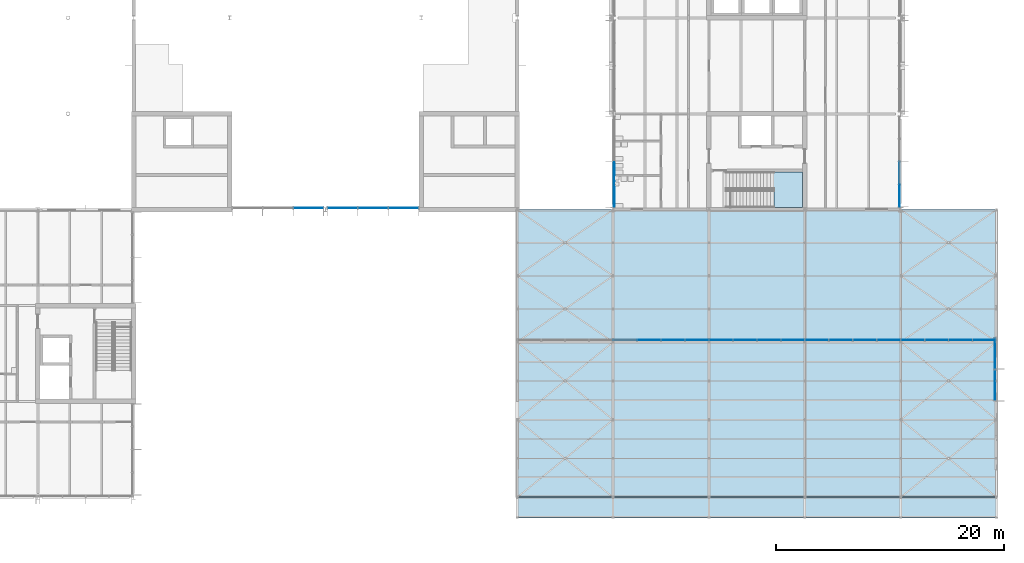
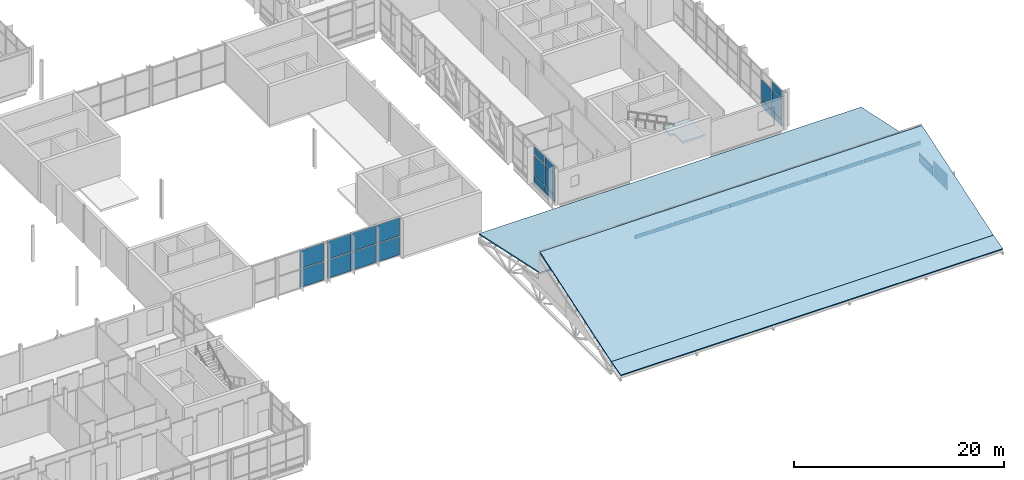
# One storey, part 41 of 89: 54 plates, 4 slabs, 8 elements without a shape of their own.
"""IFC4 building model written with IfcOpenShell, lengths in metres."""

from ifc_helpers import new_model, si_unit, direction, frame, origin, origin_2d, place, context, subcontext, project, spatial, polyline, rectangle, outline, extrude, material, layer, layer_set, type_object, element, aggregate, save


model = new_model("IFC4")

# Units and contexts
model_context = context("Model", 3, precision=1e-05, world=origin(), true_north=direction((0.0, 1.0)))
body_context = subcontext(model_context, "Body", "Model", "MODEL_VIEW")
ifc_project = project(units=[si_unit("LENGTHUNIT", "METRE"), si_unit("AREAUNIT", "SQUARE_METRE"), si_unit("VOLUMEUNIT", "CUBIC_METRE"), si_unit("PLANEANGLEUNIT", "RADIAN"), si_unit("MASSUNIT", "GRAM", prefix="KILO")], contexts=[model_context])

# Site, building, storey
site_placement = place(None, origin())
site = spatial("IfcSite", under=ifc_project, at=site_placement, CompositionType="ELEMENT")
building_placement = place(site_placement, origin())
building = spatial("IfcBuilding", under=site, at=building_placement, Name="Hlaing Beacon Police Headquarters", CompositionType="ELEMENT")
storey_placement = place(building_placement, frame((0.0, 0.0, 9.89990234375)))
storey = spatial("IfcBuildingStorey", under=building, at=storey_placement, Name="L02", CompositionType="ELEMENT", Elevation=9.89990234375)

# Curtain wall, plate
ifc_material_1 = material(Name="Aluminium frame with solar control glazing", Category="aluminium")
curtain_wall_type_1 = type_object("IfcCurtainWallType", Name="Unitised curtain wall 7.99 x 4.37", PredefinedType="NOTDEFINED", material=ifc_material_1)
curtain_wall_1_placement = place(storey_placement, origin())
curtain_wall_1 = element("IfcCurtainWall", 1, at=curtain_wall_1_placement, inside=storey, type_object=curtain_wall_type_1, Name="ENV-CW-L02-E015", PredefinedType="NOTDEFINED")
ifc_material_2 = material(Name="Solar control glazing", Category="glass")
ifc_layer_1 = layer(ifc_material_2, 0.0439453125)
ifc_layer_set_1 = layer_set([ifc_layer_1], Name="Solar control glazing")
plate_type_1 = type_object("IfcPlateType", Name="Clear glazing panel 44", PredefinedType="CURTAIN_PANEL", material=ifc_layer_set_1)
plate_1_placement = place(storey_placement, frame((125.89990234375, 36.810302734375, 0.9501953125), z_axis=(0.0, 0.0, 1.0), x_axis=(0.0, 1.0, 0.0)))
plate_1 = element("IfcPlate", 2, at=plate_1_placement, type_object=plate_type_1, Name="CW-L02-E015 panel 2.2", PredefinedType="CURTAIN_PANEL", context=body_context, shape_type="SweptSolid", body=[
    extrude(rectangle(XDim=1.938720703125, YDim=0.0439453125, at=origin_2d()), origin(), (0.0, 0.0, 1.0), 2.300048828125),
])

ifc_material_3 = material(Name="Aluminium frame with solar control glazing", Category="aluminium")
curtain_wall_type_2 = type_object("IfcCurtainWallType", Name="Unitised curtain wall 8.02 x 4.37", PredefinedType="NOTDEFINED", material=ifc_material_3)
curtain_wall_2_placement = place(storey_placement, origin())
curtain_wall_2 = element("IfcCurtainWall", 3, at=curtain_wall_2_placement, inside=storey, type_object=curtain_wall_type_2, Name="ENV-CW-L02-W033", PredefinedType="NOTDEFINED")
plate_2_placement = place(storey_placement, frame((100.89990234375, 34.805419921875, 0.9501953125), z_axis=(0.0, 0.0, 1.0), x_axis=(0.0, -1.0, 0.0)))
plate_2 = element("IfcPlate", 4, at=plate_2_placement, type_object=plate_type_1, Name="CW-L02-W033 panel 4.2", PredefinedType="CURTAIN_PANEL", context=body_context, shape_type="SweptSolid", body=[
    extrude(rectangle(XDim=1.914794921875, YDim=0.0439453125, at=origin_2d()), origin(), (0.0, 0.0, 1.0), 2.300048828125),
])

# Curtain wall, plates
ifc_material_4 = material(Name="Aluminium frame with solar control glazing", Category="aluminium")
curtain_wall_type_3 = type_object("IfcCurtainWallType", Name="Clerestory glazing 42.00 x 2.42", PredefinedType="NOTDEFINED", material=ifc_material_4)
curtain_wall_3_placement = place(storey_placement, origin())
curtain_wall_3 = element("IfcCurtainWall", 5, at=curtain_wall_3_placement, inside=storey, type_object=curtain_wall_type_3, Name="ENV-CLR-V3-38", PredefinedType="NOTDEFINED")
plate_3_placement = place(storey_placement, frame((101.85009765625, 22.17822265625, 2.731201171875), z_axis=(0.0, 0.0, 1.0), x_axis=(1.0, 0.0, 0.0)))
plate_3 = element("IfcPlate", 6, at=plate_3_placement, type_object=plate_type_1, Name="CLR-V3-38 panel 5.2", PredefinedType="CURTAIN_PANEL", context=body_context, shape_type="SweptSolid", body=[
    extrude(rectangle(XDim=2.0400390625, YDim=0.0439453125, at=origin_2d()), origin(), (0.0, 0.0, 1.0), 1.6689453125),
])
plate_4_placement = place(storey_placement, frame((103.949951171875, 22.17822265625, 2.731201171875), z_axis=(0.0, 0.0, 1.0), x_axis=(1.0, 0.0, 0.0)))
plate_4 = element("IfcPlate", 7, at=plate_4_placement, type_object=plate_type_1, Name="CLR-V3-38 panel 6.2", PredefinedType="CURTAIN_PANEL", context=body_context, shape_type="SweptSolid", body=[
    extrude(rectangle(XDim=2.0400390625, YDim=0.0439453125, at=origin_2d()), origin(), (0.0, 0.0, 1.0), 1.6689453125),
])
plate_5_placement = place(storey_placement, frame((106.050048828125, 22.17822265625, 2.731201171875), z_axis=(0.0, 0.0, 1.0), x_axis=(1.0, 0.0, 0.0)))
plate_5 = element("IfcPlate", 8, at=plate_5_placement, type_object=plate_type_1, Name="CLR-V3-38 panel 7.2", PredefinedType="CURTAIN_PANEL", context=body_context, shape_type="SweptSolid", body=[
    extrude(rectangle(XDim=2.0400390625, YDim=0.0439453125, at=origin_2d()), origin(), (0.0, 0.0, 1.0), 1.6689453125),
])
plate_6_placement = place(storey_placement, frame((108.14990234375, 22.17822265625, 2.731201171875), z_axis=(0.0, 0.0, 1.0), x_axis=(1.0, 0.0, 0.0)))
plate_6 = element("IfcPlate", 9, at=plate_6_placement, type_object=plate_type_1, Name="CLR-V3-38 panel 8.2", PredefinedType="CURTAIN_PANEL", context=body_context, shape_type="SweptSolid", body=[
    extrude(rectangle(XDim=2.0400390625, YDim=0.0439453125, at=origin_2d()), origin(), (0.0, 0.0, 1.0), 1.6689453125),
])
plate_7_placement = place(storey_placement, frame((110.25, 22.17822265625, 2.731201171875), z_axis=(0.0, 0.0, 1.0), x_axis=(1.0, 0.0, 0.0)))
plate_7 = element("IfcPlate", 10, at=plate_7_placement, type_object=plate_type_1, Name="CLR-V3-38 panel 9.2", PredefinedType="CURTAIN_PANEL", context=body_context, shape_type="SweptSolid", body=[
    extrude(rectangle(XDim=2.0400390625, YDim=0.0439453125, at=origin_2d()), origin(), (0.0, 0.0, 1.0), 1.6689453125),
])
plate_8_placement = place(storey_placement, frame((112.35009765625, 22.17822265625, 2.731201171875), z_axis=(0.0, 0.0, 1.0), x_axis=(1.0, 0.0, 0.0)))
plate_8 = element("IfcPlate", 11, at=plate_8_placement, type_object=plate_type_1, Name="CLR-V3-38 panel 10.2", PredefinedType="CURTAIN_PANEL", context=body_context, shape_type="SweptSolid", body=[
    extrude(rectangle(XDim=2.0400390625, YDim=0.0439453125, at=origin_2d()), origin(), (0.0, 0.0, 1.0), 1.6689453125),
])
plate_9_placement = place(storey_placement, frame((114.449951171875, 22.17822265625, 2.731201171875), z_axis=(0.0, 0.0, 1.0), x_axis=(1.0, 0.0, 0.0)))
plate_9 = element("IfcPlate", 12, at=plate_9_placement, type_object=plate_type_1, Name="CLR-V3-38 panel 11.2", PredefinedType="CURTAIN_PANEL", context=body_context, shape_type="SweptSolid", body=[
    extrude(rectangle(XDim=2.0400390625, YDim=0.0439453125, at=origin_2d()), origin(), (0.0, 0.0, 1.0), 1.6689453125),
])
plate_10_placement = place(storey_placement, frame((116.550048828125, 22.17822265625, 2.731201171875), z_axis=(0.0, 0.0, 1.0), x_axis=(1.0, 0.0, 0.0)))
plate_10 = element("IfcPlate", 13, at=plate_10_placement, type_object=plate_type_1, Name="CLR-V3-38 panel 12.2", PredefinedType="CURTAIN_PANEL", context=body_context, shape_type="SweptSolid", body=[
    extrude(rectangle(XDim=2.0400390625, YDim=0.0439453125, at=origin_2d()), origin(), (0.0, 0.0, 1.0), 1.6689453125),
])
plate_11_placement = place(storey_placement, frame((118.64990234375, 22.17822265625, 2.731201171875), z_axis=(0.0, 0.0, 1.0), x_axis=(1.0, 0.0, 0.0)))
plate_11 = element("IfcPlate", 14, at=plate_11_placement, type_object=plate_type_1, Name="CLR-V3-38 panel 13.2", PredefinedType="CURTAIN_PANEL", context=body_context, shape_type="SweptSolid", body=[
    extrude(rectangle(XDim=2.0400390625, YDim=0.0439453125, at=origin_2d()), origin(), (0.0, 0.0, 1.0), 1.6689453125),
])
plate_12_placement = place(storey_placement, frame((120.75, 22.17822265625, 2.731201171875), z_axis=(0.0, 0.0, 1.0), x_axis=(1.0, 0.0, 0.0)))
plate_12 = element("IfcPlate", 15, at=plate_12_placement, type_object=plate_type_1, Name="CLR-V3-38 panel 14.2", PredefinedType="CURTAIN_PANEL", context=body_context, shape_type="SweptSolid", body=[
    extrude(rectangle(XDim=2.0400390625, YDim=0.0439453125, at=origin_2d()), origin(), (0.0, 0.0, 1.0), 1.6689453125),
])
plate_13_placement = place(storey_placement, frame((122.85009765625, 22.17822265625, 2.731201171875), z_axis=(0.0, 0.0, 1.0), x_axis=(1.0, 0.0, 0.0)))
plate_13 = element("IfcPlate", 16, at=plate_13_placement, type_object=plate_type_1, Name="CLR-V3-38 panel 15.2", PredefinedType="CURTAIN_PANEL", context=body_context, shape_type="SweptSolid", body=[
    extrude(rectangle(XDim=2.0400390625, YDim=0.0439453125, at=origin_2d()), origin(), (0.0, 0.0, 1.0), 1.6689453125),
])
plate_14_placement = place(storey_placement, frame((124.949951171875, 22.17822265625, 2.731201171875), z_axis=(0.0, 0.0, 1.0), x_axis=(1.0, 0.0, 0.0)))
plate_14 = element("IfcPlate", 17, at=plate_14_placement, type_object=plate_type_1, Name="CLR-V3-38 panel 16.2", PredefinedType="CURTAIN_PANEL", context=body_context, shape_type="SweptSolid", body=[
    extrude(rectangle(XDim=2.0400390625, YDim=0.0439453125, at=origin_2d()), origin(), (0.0, 0.0, 1.0), 1.6689453125),
])
plate_15_placement = place(storey_placement, frame((127.050048828125, 22.17822265625, 2.731201171875), z_axis=(0.0, 0.0, 1.0), x_axis=(1.0, 0.0, 0.0)))
plate_15 = element("IfcPlate", 18, at=plate_15_placement, type_object=plate_type_1, Name="CLR-V3-38 panel 17.2", PredefinedType="CURTAIN_PANEL", context=body_context, shape_type="SweptSolid", body=[
    extrude(rectangle(XDim=2.0400390625, YDim=0.0439453125, at=origin_2d()), origin(), (0.0, 0.0, 1.0), 1.6689453125),
])
plate_16_placement = place(storey_placement, frame((129.14990234375, 22.17822265625, 2.731201171875), z_axis=(0.0, 0.0, 1.0), x_axis=(1.0, 0.0, 0.0)))
plate_16 = element("IfcPlate", 19, at=plate_16_placement, type_object=plate_type_1, Name="CLR-V3-38 panel 18.2", PredefinedType="CURTAIN_PANEL", context=body_context, shape_type="SweptSolid", body=[
    extrude(rectangle(XDim=2.0400390625, YDim=0.0439453125, at=origin_2d()), origin(), (0.0, 0.0, 1.0), 1.6689453125),
])
plate_17_placement = place(storey_placement, frame((131.25, 22.17822265625, 2.731201171875), z_axis=(0.0, 0.0, 1.0), x_axis=(1.0, 0.0, 0.0)))
plate_17 = element("IfcPlate", 20, at=plate_17_placement, type_object=plate_type_1, Name="CLR-V3-38 panel 19.2", PredefinedType="CURTAIN_PANEL", context=body_context, shape_type="SweptSolid", body=[
    extrude(rectangle(XDim=2.0400390625, YDim=0.0439453125, at=origin_2d()), origin(), (0.0, 0.0, 1.0), 1.6689453125),
])
plate_18_placement = place(storey_placement, frame((133.3349609375, 22.17822265625, 2.731201171875), z_axis=(0.0, 0.0, 1.0), x_axis=(1.0, 0.0, 0.0)))
plate_18 = element("IfcPlate", 21, at=plate_18_placement, type_object=plate_type_1, Name="CLR-V3-38 panel 20.2", PredefinedType="CURTAIN_PANEL", context=body_context, shape_type="SweptSolid", body=[
    extrude(rectangle(XDim=2.010009765625, YDim=0.0439453125, at=origin_2d()), origin(), (0.0, 0.0, 1.0), 1.6689453125),
])

# Slabs
ifc_material_5 = material(Name="Steel ASTM A572 Grade 50", Category="steel")
ifc_layer_2 = layer(ifc_material_5, 0.14990234375)
ifc_layer_set_2 = layer_set([ifc_layer_2], Name="Steel ASTM A572 Grade 50")
slab_type_1 = type_object("IfcSlabType", Name="Folded roof plate 150", PredefinedType="ROOF", material=ifc_layer_set_2)
slab_1_placement = place(storey_placement, frame((92.39990234375, 6.60009765625, -0.47998046875), z_axis=(0.0, -0.257678965997, 0.966230588671), x_axis=(1.0, 0.0, 0.0)))
element("IfcSlab", 22, at=slab_1_placement, inside=storey, type_object=slab_type_1, Name="STR-RP-V3-R1", PredefinedType="ROOF", context=body_context, shape_type="SweptSolid", body=[
    extrude(outline(polyline([(0.0, 0.0), (42.0, 0.0), (42.0, 1.8627072135814695), (0.0, 1.8627072135814695), (0.0, 0.0)])), origin(), (0.0, 0.0, -1.0), 0.14990234375),
])
slab_2_placement = place(storey_placement, frame((92.39990234375, 8.39990234375, 0.0), z_axis=(0.0, -0.314130743941, 0.949379732094), x_axis=(1.0, 0.0, 0.0)))
element("IfcSlab", 23, at=slab_2_placement, inside=storey, type_object=slab_type_1, Name="STR-RP-V3-R2", PredefinedType="ROOF", context=body_context, shape_type="SweptSolid", body=[
    extrude(outline(polyline([(0.0, 0.0), (42.0, 0.0), (42.0, 14.325245417078785), (0.0, 14.325245417078785), (0.0, 0.0)])), origin(), (0.0, 0.0, -1.0), 0.14990234375),
])
slab_3_placement = place(storey_placement, frame((92.39990234375, 22.0, 2.10009765625), z_axis=(0.0, 0.210678280718, 0.977555452153), x_axis=(1.0, 0.0, 0.0)))
element("IfcSlab", 24, at=slab_3_placement, inside=storey, type_object=slab_type_1, Name="STR-RP-V3-R3", PredefinedType="ROOF", context=body_context, shape_type="SweptSolid", body=[
    extrude(outline(polyline([(0.0, 0.0), (42.0, 0.0), (42.0, 11.866434411167356), (0.0, 11.866434411167356), (0.0, 0.0)])), origin(), (0.0, 0.0, -1.0), 0.14990234375),
])

# Plate
ifc_material_6 = material(Name="Fritted solar control glazing", Category="glass")
ifc_layer_3 = layer(ifc_material_6, 0.0439453125)
ifc_layer_set_3 = layer_set([ifc_layer_3], Name="Fritted solar control glazing")
plate_type_2 = type_object("IfcPlateType", Name="Fritted glazing panel 44", PredefinedType="CURTAIN_PANEL", material=ifc_layer_set_3)
plate_19_placement = place(storey_placement, frame((125.89990234375, 34.826416015625, 0.9501953125), z_axis=(0.0, 0.0, 1.0), x_axis=(0.0, 1.0, 0.0)))
plate_19 = element("IfcPlate", 25, at=plate_19_placement, type_object=plate_type_2, Name="CW-L02-E015 panel 1.2", PredefinedType="CURTAIN_PANEL", context=body_context, shape_type="SweptSolid", body=[
    extrude(rectangle(XDim=1.90869140625, YDim=0.0439453125, at=origin_2d()), origin(), (0.0, 0.0, 1.0), 2.300048828125),
])

plate_20_placement = place(storey_placement, frame((100.89990234375, 36.795166015625, 0.9501953125), z_axis=(0.0, 0.0, 1.0), x_axis=(0.0, -1.0, 0.0)))
plate_20 = element("IfcPlate", 26, at=plate_20_placement, type_object=plate_type_2, Name="CW-L02-W033 panel 3.2", PredefinedType="CURTAIN_PANEL", context=body_context, shape_type="SweptSolid", body=[
    extrude(rectangle(XDim=1.94482421875, YDim=0.0439453125, at=origin_2d()), origin(), (0.0, 0.0, 1.0), 2.300048828125),
])

ifc_material_7 = material(Name="Insulated aluminium spandrel", Category="aluminium")
ifc_layer_4 = layer(ifc_material_7, 0.0400390625)
ifc_layer_set_4 = layer_set([ifc_layer_4], Name="Insulated aluminium spandrel")
plate_type_3 = type_object("IfcPlateType", Name="Insulated spandrel panel 40", PredefinedType="CURTAIN_PANEL", material=ifc_layer_set_4)
plate_21_placement = place(storey_placement, frame((103.949951171875, 22.17822265625, 2.18115234375), z_axis=(0.0, 0.0, 1.0), x_axis=(1.0, 0.0, 0.0)))
plate_21 = element("IfcPlate", 27, at=plate_21_placement, type_object=plate_type_3, Name="CLR-V3-38 panel 6.1", PredefinedType="CURTAIN_PANEL", context=body_context, shape_type="SweptSolid", body=[
    extrude(rectangle(XDim=2.0400390625, YDim=0.0400390625, at=origin_2d()), origin(), (0.0, 0.0, 1.0), 0.449951171875),
])

plate_22_placement = place(storey_placement, frame((106.050048828125, 22.17822265625, 2.18115234375), z_axis=(0.0, 0.0, 1.0), x_axis=(1.0, 0.0, 0.0)))
plate_22 = element("IfcPlate", 28, at=plate_22_placement, type_object=plate_type_3, Name="CLR-V3-38 panel 7.1", PredefinedType="CURTAIN_PANEL", context=body_context, shape_type="SweptSolid", body=[
    extrude(rectangle(XDim=2.0400390625, YDim=0.0400390625, at=origin_2d()), origin(), (0.0, 0.0, 1.0), 0.449951171875),
])

plate_23_placement = place(storey_placement, frame((108.14990234375, 22.17822265625, 2.18115234375), z_axis=(0.0, 0.0, 1.0), x_axis=(1.0, 0.0, 0.0)))
plate_23 = element("IfcPlate", 29, at=plate_23_placement, type_object=plate_type_3, Name="CLR-V3-38 panel 8.1", PredefinedType="CURTAIN_PANEL", context=body_context, shape_type="SweptSolid", body=[
    extrude(rectangle(XDim=2.0400390625, YDim=0.0400390625, at=origin_2d()), origin(), (0.0, 0.0, 1.0), 0.449951171875),
])

plate_24_placement = place(storey_placement, frame((110.25, 22.17822265625, 2.18115234375), z_axis=(0.0, 0.0, 1.0), x_axis=(1.0, 0.0, 0.0)))
plate_24 = element("IfcPlate", 30, at=plate_24_placement, type_object=plate_type_3, Name="CLR-V3-38 panel 9.1", PredefinedType="CURTAIN_PANEL", context=body_context, shape_type="SweptSolid", body=[
    extrude(rectangle(XDim=2.0400390625, YDim=0.0400390625, at=origin_2d()), origin(), (0.0, 0.0, 1.0), 0.449951171875),
])

plate_25_placement = place(storey_placement, frame((112.35009765625, 22.17822265625, 2.18115234375), z_axis=(0.0, 0.0, 1.0), x_axis=(1.0, 0.0, 0.0)))
plate_25 = element("IfcPlate", 31, at=plate_25_placement, type_object=plate_type_3, Name="CLR-V3-38 panel 10.1", PredefinedType="CURTAIN_PANEL", context=body_context, shape_type="SweptSolid", body=[
    extrude(rectangle(XDim=2.0400390625, YDim=0.0400390625, at=origin_2d()), origin(), (0.0, 0.0, 1.0), 0.449951171875),
])

plate_26_placement = place(storey_placement, frame((114.449951171875, 22.17822265625, 2.18115234375), z_axis=(0.0, 0.0, 1.0), x_axis=(1.0, 0.0, 0.0)))
plate_26 = element("IfcPlate", 32, at=plate_26_placement, type_object=plate_type_3, Name="CLR-V3-38 panel 11.1", PredefinedType="CURTAIN_PANEL", context=body_context, shape_type="SweptSolid", body=[
    extrude(rectangle(XDim=2.0400390625, YDim=0.0400390625, at=origin_2d()), origin(), (0.0, 0.0, 1.0), 0.449951171875),
])

plate_27_placement = place(storey_placement, frame((116.550048828125, 22.17822265625, 2.18115234375), z_axis=(0.0, 0.0, 1.0), x_axis=(1.0, 0.0, 0.0)))
plate_27 = element("IfcPlate", 33, at=plate_27_placement, type_object=plate_type_3, Name="CLR-V3-38 panel 12.1", PredefinedType="CURTAIN_PANEL", context=body_context, shape_type="SweptSolid", body=[
    extrude(rectangle(XDim=2.0400390625, YDim=0.0400390625, at=origin_2d()), origin(), (0.0, 0.0, 1.0), 0.449951171875),
])

plate_28_placement = place(storey_placement, frame((118.64990234375, 22.17822265625, 2.18115234375), z_axis=(0.0, 0.0, 1.0), x_axis=(1.0, 0.0, 0.0)))
plate_28 = element("IfcPlate", 34, at=plate_28_placement, type_object=plate_type_3, Name="CLR-V3-38 panel 13.1", PredefinedType="CURTAIN_PANEL", context=body_context, shape_type="SweptSolid", body=[
    extrude(rectangle(XDim=2.0400390625, YDim=0.0400390625, at=origin_2d()), origin(), (0.0, 0.0, 1.0), 0.449951171875),
])

plate_29_placement = place(storey_placement, frame((120.75, 22.17822265625, 2.18115234375), z_axis=(0.0, 0.0, 1.0), x_axis=(1.0, 0.0, 0.0)))
plate_29 = element("IfcPlate", 35, at=plate_29_placement, type_object=plate_type_3, Name="CLR-V3-38 panel 14.1", PredefinedType="CURTAIN_PANEL", context=body_context, shape_type="SweptSolid", body=[
    extrude(rectangle(XDim=2.0400390625, YDim=0.0400390625, at=origin_2d()), origin(), (0.0, 0.0, 1.0), 0.449951171875),
])

plate_30_placement = place(storey_placement, frame((122.85009765625, 22.17822265625, 2.18115234375), z_axis=(0.0, 0.0, 1.0), x_axis=(1.0, 0.0, 0.0)))
plate_30 = element("IfcPlate", 36, at=plate_30_placement, type_object=plate_type_3, Name="CLR-V3-38 panel 15.1", PredefinedType="CURTAIN_PANEL", context=body_context, shape_type="SweptSolid", body=[
    extrude(rectangle(XDim=2.0400390625, YDim=0.0400390625, at=origin_2d()), origin(), (0.0, 0.0, 1.0), 0.449951171875),
])

plate_31_placement = place(storey_placement, frame((124.949951171875, 22.17822265625, 2.18115234375), z_axis=(0.0, 0.0, 1.0), x_axis=(1.0, 0.0, 0.0)))
plate_31 = element("IfcPlate", 37, at=plate_31_placement, type_object=plate_type_3, Name="CLR-V3-38 panel 16.1", PredefinedType="CURTAIN_PANEL", context=body_context, shape_type="SweptSolid", body=[
    extrude(rectangle(XDim=2.0400390625, YDim=0.0400390625, at=origin_2d()), origin(), (0.0, 0.0, 1.0), 0.449951171875),
])

plate_32_placement = place(storey_placement, frame((127.050048828125, 22.17822265625, 2.18115234375), z_axis=(0.0, 0.0, 1.0), x_axis=(1.0, 0.0, 0.0)))
plate_32 = element("IfcPlate", 38, at=plate_32_placement, type_object=plate_type_3, Name="CLR-V3-38 panel 17.1", PredefinedType="CURTAIN_PANEL", context=body_context, shape_type="SweptSolid", body=[
    extrude(rectangle(XDim=2.0400390625, YDim=0.0400390625, at=origin_2d()), origin(), (0.0, 0.0, 1.0), 0.449951171875),
])

plate_33_placement = place(storey_placement, frame((129.14990234375, 22.17822265625, 2.18115234375), z_axis=(0.0, 0.0, 1.0), x_axis=(1.0, 0.0, 0.0)))
plate_33 = element("IfcPlate", 39, at=plate_33_placement, type_object=plate_type_3, Name="CLR-V3-38 panel 18.1", PredefinedType="CURTAIN_PANEL", context=body_context, shape_type="SweptSolid", body=[
    extrude(rectangle(XDim=2.0400390625, YDim=0.0400390625, at=origin_2d()), origin(), (0.0, 0.0, 1.0), 0.449951171875),
])

plate_34_placement = place(storey_placement, frame((131.25, 22.17822265625, 2.18115234375), z_axis=(0.0, 0.0, 1.0), x_axis=(1.0, 0.0, 0.0)))
plate_34 = element("IfcPlate", 40, at=plate_34_placement, type_object=plate_type_3, Name="CLR-V3-38 panel 19.1", PredefinedType="CURTAIN_PANEL", context=body_context, shape_type="SweptSolid", body=[
    extrude(rectangle(XDim=2.0400390625, YDim=0.0400390625, at=origin_2d()), origin(), (0.0, 0.0, 1.0), 0.449951171875),
])

plate_35_placement = place(storey_placement, frame((133.3349609375, 22.17822265625, 2.18115234375), z_axis=(0.0, 0.0, 1.0), x_axis=(1.0, 0.0, 0.0)))
plate_35 = element("IfcPlate", 41, at=plate_35_placement, type_object=plate_type_3, Name="CLR-V3-38 panel 20.1", PredefinedType="CURTAIN_PANEL", context=body_context, shape_type="SweptSolid", body=[
    extrude(rectangle(XDim=2.010009765625, YDim=0.0400390625, at=origin_2d()), origin(), (0.0, 0.0, 1.0), 0.449951171875),
])

aggregate(curtain_wall_3, [plate_3, plate_21, plate_4, plate_22, plate_5, plate_23, plate_6, plate_24, plate_7, plate_25, plate_8, plate_26, plate_9, plate_27, plate_10, plate_28, plate_11, plate_29, plate_12, plate_30, plate_13, plate_31, plate_14, plate_32, plate_15, plate_33, plate_16, plate_34, plate_17, plate_35, plate_18])

ifc_material_8 = material(Name="Insulated aluminium spandrel", Category="aluminium")
ifc_layer_5 = layer(ifc_material_8, 0.06005859375)
ifc_layer_set_5 = layer_set([ifc_layer_5], Name="Insulated aluminium spandrel")
plate_type_4 = type_object("IfcPlateType", Name="Insulated spandrel panel 60", PredefinedType="CURTAIN_PANEL", material=ifc_layer_set_5)
plate_36_placement = place(storey_placement, frame((125.89990234375, 34.826416015625, 0.10009765625), z_axis=(0.0, 0.0, 1.0), x_axis=(0.0, 1.0, 0.0)))
plate_36 = element("IfcPlate", 42, at=plate_36_placement, type_object=plate_type_4, Name="CW-L02-E015 panel 1.1", PredefinedType="CURTAIN_PANEL", context=body_context, shape_type="SweptSolid", body=[
    extrude(rectangle(XDim=1.90869140625, YDim=0.06005859375, at=origin_2d()), origin(), (0.0, 0.0, 1.0), 0.75),
])

plate_37_placement = place(storey_placement, frame((125.89990234375, 36.810302734375, 0.10009765625), z_axis=(0.0, 0.0, 1.0), x_axis=(0.0, 1.0, 0.0)))
plate_37 = element("IfcPlate", 43, at=plate_37_placement, type_object=plate_type_4, Name="CW-L02-E015 panel 2.1", PredefinedType="CURTAIN_PANEL", context=body_context, shape_type="SweptSolid", body=[
    extrude(rectangle(XDim=1.938720703125, YDim=0.06005859375, at=origin_2d()), origin(), (0.0, 0.0, 1.0), 0.75),
])

ifc_material_9 = material(Name="Insulated aluminium spandrel", Category="aluminium")
ifc_layer_6 = layer(ifc_material_9, 0.080078125)
ifc_layer_set_6 = layer_set([ifc_layer_6], Name="Insulated aluminium spandrel")
plate_type_5 = type_object("IfcPlateType", Name="Insulated spandrel panel 80", PredefinedType="CURTAIN_PANEL", material=ifc_layer_set_6)
plate_38_placement = place(storey_placement, frame((100.89990234375, 36.795166015625, 0.10009765625), z_axis=(0.0, 0.0, 1.0), x_axis=(0.0, -1.0, 0.0)))
plate_38 = element("IfcPlate", 44, at=plate_38_placement, type_object=plate_type_5, Name="CW-L02-W033 panel 3.1", PredefinedType="CURTAIN_PANEL", context=body_context, shape_type="SweptSolid", body=[
    extrude(rectangle(XDim=1.94482421875, YDim=0.080078125, at=origin_2d()), origin(), (0.0, 0.0, 1.0), 0.75),
])

plate_39_placement = place(storey_placement, frame((100.89990234375, 34.805419921875, 0.10009765625), z_axis=(0.0, 0.0, 1.0), x_axis=(0.0, -1.0, 0.0)))
plate_39 = element("IfcPlate", 45, at=plate_39_placement, type_object=plate_type_5, Name="CW-L02-W033 panel 4.1", PredefinedType="CURTAIN_PANEL", context=body_context, shape_type="SweptSolid", body=[
    extrude(rectangle(XDim=1.914794921875, YDim=0.080078125, at=origin_2d()), origin(), (0.0, 0.0, 1.0), 0.75),
])

# Curtain wall, plates
ifc_material_10 = material(Name="Aluminium frame with solar control glazing", Category="aluminium")
curtain_wall_type_4 = type_object("IfcCurtainWallType", Name="Structural glazed gable wall 2.80 x 1.31", PredefinedType="NOTDEFINED", material=ifc_material_10)
curtain_wall_4_placement = place(storey_placement, origin())
curtain_wall_4 = element("IfcCurtainWall", 46, at=curtain_wall_4_placement, inside=storey, type_object=curtain_wall_type_4, Name="ENV-CW-L02-E002", PredefinedType="NOTDEFINED")
ifc_material_11 = material(Name="Laminated solar control glazing", Category="glass")
ifc_layer_7 = layer(ifc_material_11, 0.02392578125)
ifc_layer_set_7 = layer_set([ifc_layer_7], Name="Laminated solar control glazing")
plate_type_6 = type_object("IfcPlateType", Name="Laminated glazing panel 24", PredefinedType="CURTAIN_PANEL", material=ifc_layer_set_7)
plate_40_placement = place(storey_placement, frame((134.25, 21.0, 0.10009765625), z_axis=(0.0, 0.0, 1.0), x_axis=(0.0, 1.0, 0.0)))
plate_40 = element("IfcPlate", 47, at=plate_40_placement, type_object=plate_type_6, Name="CW-L02-E002 panel 1.1", PredefinedType="CURTAIN_PANEL", context=body_context, shape_type="SweptSolid", body=[
    extrude(rectangle(XDim=2.639892578125, YDim=0.02392578125, at=origin_2d()), origin(), (0.0, 0.0, 1.0), 0.507080078125),
])
plate_41_placement = place(storey_placement, frame((134.25, 21.0, 0.70703125), z_axis=(0.0, 0.0, 1.0), x_axis=(0.0, 1.0, 0.0)))
plate_41 = element("IfcPlate", 48, at=plate_41_placement, type_object=plate_type_6, Name="CW-L02-E002 panel 1.2", PredefinedType="CURTAIN_PANEL", context=body_context, shape_type="SweptSolid", body=[
    extrude(rectangle(XDim=2.639892578125, YDim=0.02392578125, at=origin_2d()), origin(), (0.0, 0.0, 1.0), 0.5068359375),
])
aggregate(curtain_wall_4, [plate_40, plate_41])

ifc_material_12 = material(Name="Aluminium frame with solar control glazing", Category="aluminium")
curtain_wall_type_5 = type_object("IfcCurtainWallType", Name="Structural glazed gable wall 2.80 x 2.08", PredefinedType="NOTDEFINED", material=ifc_material_12)
curtain_wall_5_placement = place(storey_placement, origin())
curtain_wall_5 = element("IfcCurtainWall", 49, at=curtain_wall_5_placement, inside=storey, type_object=curtain_wall_type_5, Name="ENV-CW-L02-E001", PredefinedType="NOTDEFINED")
ifc_material_13 = material(Name="Laminated solar control glazing", Category="glass")
ifc_layer_8 = layer(ifc_material_13, 0.031982421875)
ifc_layer_set_8 = layer_set([ifc_layer_8], Name="Laminated solar control glazing")
plate_type_7 = type_object("IfcPlateType", Name="Laminated glazing panel 32", PredefinedType="CURTAIN_PANEL", material=ifc_layer_set_8)
plate_42_placement = place(storey_placement, frame((134.25, 18.199951171875, 0.10009765625), z_axis=(0.0, 0.0, 1.0), x_axis=(0.0, 1.0, 0.0)))
plate_42 = element("IfcPlate", 50, at=plate_42_placement, type_object=plate_type_7, Name="CW-L02-E001 panel 1.1", PredefinedType="CURTAIN_PANEL", context=body_context, shape_type="SweptSolid", body=[
    extrude(rectangle(XDim=2.639892578125, YDim=0.031982421875, at=origin_2d()), origin(), (0.0, 0.0, 1.0), 0.888916015625),
])
plate_43_placement = place(storey_placement, frame((134.25, 18.199951171875, 1.08935546875), z_axis=(0.0, 0.0, 1.0), x_axis=(0.0, 1.0, 0.0)))
plate_43 = element("IfcPlate", 51, at=plate_43_placement, type_object=plate_type_7, Name="CW-L02-E001 panel 1.2", PredefinedType="CURTAIN_PANEL", context=body_context, shape_type="SweptSolid", body=[
    extrude(rectangle(XDim=2.639892578125, YDim=0.031982421875, at=origin_2d()), origin(), (0.0, 0.0, 1.0), 0.889892578125),
])
aggregate(curtain_wall_5, [plate_42, plate_43])

ifc_material_14 = material(Name="Aluminium frame with solar control glazing", Category="aluminium")
curtain_wall_type_6 = type_object("IfcCurtainWallType", Name="Structural glazed gable wall 8.07 x 4.50", PredefinedType="NOTDEFINED", material=ifc_material_14)
curtain_wall_6_placement = place(storey_placement, origin())
curtain_wall_6 = element("IfcCurtainWall", 52, at=curtain_wall_6_placement, inside=storey, type_object=curtain_wall_type_6, Name="ENV-CW-L02-S005", PredefinedType="NOTDEFINED")
ifc_material_15 = material(Name="Laminated solar control glazing", Category="glass")
ifc_layer_9 = layer(ifc_material_15, 0.0439453125)
ifc_layer_set_9 = layer_set([ifc_layer_9], Name="Laminated solar control glazing")
plate_type_8 = type_object("IfcPlateType", Name="Laminated glazing panel 44", PredefinedType="CURTAIN_PANEL", material=ifc_layer_set_9)
plate_44_placement = place(storey_placement, frame((74.1064453125, 33.75, 0.10009765625), z_axis=(0.0, 0.0, 1.0), x_axis=(1.0, 0.0, 0.0)))
plate_44 = element("IfcPlate", 53, at=plate_44_placement, type_object=plate_type_8, Name="CW-L02-S005 panel 3.1", PredefinedType="CURTAIN_PANEL", context=body_context, shape_type="SweptSolid", body=[
    extrude(rectangle(XDim=2.570556640625, YDim=0.0439453125, at=origin_2d()), origin(), (0.0, 0.0, 1.0), 2.10009765625),
])
plate_45_placement = place(storey_placement, frame((74.1064453125, 33.75, 2.300048828125), z_axis=(0.0, 0.0, 1.0), x_axis=(1.0, 0.0, 0.0)))
plate_45 = element("IfcPlate", 54, at=plate_45_placement, type_object=plate_type_8, Name="CW-L02-S005 panel 3.2", PredefinedType="CURTAIN_PANEL", context=body_context, shape_type="SweptSolid", body=[
    extrude(rectangle(XDim=2.570556640625, YDim=0.0439453125, at=origin_2d()), origin(), (0.0, 0.0, 1.0), 2.10009765625),
])
aggregate(curtain_wall_6, [plate_44, plate_45])

curtain_wall_7_placement = place(storey_placement, origin())
curtain_wall_7 = element("IfcCurtainWall", 55, at=curtain_wall_7_placement, inside=storey, type_object=curtain_wall_type_6, Name="ENV-CW-L02-S006", PredefinedType="NOTDEFINED")
plate_46_placement = place(storey_placement, frame((77.093505859375, 33.75, 0.10009765625), z_axis=(0.0, 0.0, 1.0), x_axis=(1.0, 0.0, 0.0)))
plate_46 = element("IfcPlate", 56, at=plate_46_placement, type_object=plate_type_8, Name="CW-L02-S006 panel 1.1", PredefinedType="CURTAIN_PANEL", context=body_context, shape_type="SweptSolid", body=[
    extrude(rectangle(XDim=2.570556640625, YDim=0.0439453125, at=origin_2d()), origin(), (0.0, 0.0, 1.0), 2.10009765625),
])
plate_47_placement = place(storey_placement, frame((77.093505859375, 33.75, 2.300048828125), z_axis=(0.0, 0.0, 1.0), x_axis=(1.0, 0.0, 0.0)))
plate_47 = element("IfcPlate", 57, at=plate_47_placement, type_object=plate_type_8, Name="CW-L02-S006 panel 1.2", PredefinedType="CURTAIN_PANEL", context=body_context, shape_type="SweptSolid", body=[
    extrude(rectangle(XDim=2.570556640625, YDim=0.0439453125, at=origin_2d()), origin(), (0.0, 0.0, 1.0), 2.10009765625),
])
plate_48_placement = place(storey_placement, frame((79.76416015625, 33.75, 0.10009765625), z_axis=(0.0, 0.0, 1.0), x_axis=(1.0, 0.0, 0.0)))
plate_48 = element("IfcPlate", 58, at=plate_48_placement, type_object=plate_type_8, Name="CW-L02-S006 panel 2.1", PredefinedType="CURTAIN_PANEL", context=body_context, shape_type="SweptSolid", body=[
    extrude(rectangle(XDim=2.610595703125, YDim=0.0439453125, at=origin_2d()), origin(), (0.0, 0.0, 1.0), 2.10009765625),
])
plate_49_placement = place(storey_placement, frame((79.76416015625, 33.75, 2.300048828125), z_axis=(0.0, 0.0, 1.0), x_axis=(1.0, 0.0, 0.0)))
plate_49 = element("IfcPlate", 59, at=plate_49_placement, type_object=plate_type_8, Name="CW-L02-S006 panel 2.2", PredefinedType="CURTAIN_PANEL", context=body_context, shape_type="SweptSolid", body=[
    extrude(rectangle(XDim=2.610595703125, YDim=0.0439453125, at=origin_2d()), origin(), (0.0, 0.0, 1.0), 2.10009765625),
])
plate_50_placement = place(storey_placement, frame((82.434814453125, 33.75, 0.10009765625), z_axis=(0.0, 0.0, 1.0), x_axis=(1.0, 0.0, 0.0)))
plate_50 = element("IfcPlate", 60, at=plate_50_placement, type_object=plate_type_8, Name="CW-L02-S006 panel 3.1", PredefinedType="CURTAIN_PANEL", context=body_context, shape_type="SweptSolid", body=[
    extrude(rectangle(XDim=2.570556640625, YDim=0.0439453125, at=origin_2d()), origin(), (0.0, 0.0, 1.0), 2.10009765625),
])
plate_51_placement = place(storey_placement, frame((82.434814453125, 33.75, 2.300048828125), z_axis=(0.0, 0.0, 1.0), x_axis=(1.0, 0.0, 0.0)))
plate_51 = element("IfcPlate", 61, at=plate_51_placement, type_object=plate_type_8, Name="CW-L02-S006 panel 3.2", PredefinedType="CURTAIN_PANEL", context=body_context, shape_type="SweptSolid", body=[
    extrude(rectangle(XDim=2.570556640625, YDim=0.0439453125, at=origin_2d()), origin(), (0.0, 0.0, 1.0), 2.10009765625),
])
aggregate(curtain_wall_7, [plate_46, plate_47, plate_48, plate_49, plate_50, plate_51])

# Plate
ifc_material_16 = material(Name="Perforated aluminium", Category="aluminium")
ifc_layer_10 = layer(ifc_material_16, 0.00390625)
ifc_layer_set_10 = layer_set([ifc_layer_10], Name="Perforated aluminium")
plate_type_9 = type_object("IfcPlateType", Name="Perforated aluminium vent panel 4", PredefinedType="CURTAIN_PANEL", material=ifc_layer_set_10)
plate_52_placement = place(storey_placement, frame((125.89990234375, 34.826416015625, 3.35009765625), z_axis=(0.0, 0.0, 1.0), x_axis=(0.0, 1.0, 0.0)))
plate_52 = element("IfcPlate", 62, at=plate_52_placement, type_object=plate_type_9, Name="CW-L02-E015 panel 1.3", PredefinedType="CURTAIN_PANEL", context=body_context, shape_type="SweptSolid", body=[
    extrude(rectangle(XDim=1.90869140625, YDim=0.00390625, at=origin_2d()), origin(), (0.0, 0.0, 1.0), 0.919921875),
])

aggregate(curtain_wall_1, [plate_36, plate_19, plate_52, plate_37, plate_1])

plate_53_placement = place(storey_placement, frame((100.89990234375, 36.795166015625, 3.35009765625), z_axis=(0.0, 0.0, 1.0), x_axis=(0.0, -1.0, 0.0)))
plate_53 = element("IfcPlate", 63, at=plate_53_placement, type_object=plate_type_9, Name="CW-L02-W033 panel 3.3", PredefinedType="CURTAIN_PANEL", context=body_context, shape_type="SweptSolid", body=[
    extrude(rectangle(XDim=1.94482421875, YDim=0.00390625, at=origin_2d()), origin(), (0.0, 0.0, 1.0), 0.919921875),
])

plate_54_placement = place(storey_placement, frame((100.89990234375, 34.805419921875, 3.35009765625), z_axis=(0.0, 0.0, 1.0), x_axis=(0.0, -1.0, 0.0)))
plate_54 = element("IfcPlate", 64, at=plate_54_placement, type_object=plate_type_9, Name="CW-L02-W033 panel 4.3", PredefinedType="CURTAIN_PANEL", context=body_context, shape_type="SweptSolid", body=[
    extrude(rectangle(XDim=1.914794921875, YDim=0.00390625, at=origin_2d()), origin(), (0.0, 0.0, 1.0), 0.919921875),
])

aggregate(curtain_wall_2, [plate_38, plate_20, plate_53, plate_39, plate_2, plate_54])

# Stair, slab
ifc_material_17 = material(Name="Concrete C40/50", Category="concrete")
stair_type = type_object("IfcStairType", Name="Half-turn stair 1500 wide, 4500 rise", PredefinedType="HALF_TURN_STAIR", material=ifc_material_17)
stair_placement = place(storey_placement, origin())
stair = element("IfcStair", 65, at=stair_placement, inside=storey, type_object=stair_type, Name="Stair ST-L", PredefinedType="HALF_TURN_STAIR")
ifc_material_18 = material(Name="Concrete C40/50", Category="concrete")
ifc_layer_11 = layer(ifc_material_18, 0.219970703125)
ifc_layer_set_11 = layer_set([ifc_layer_11], Name="Concrete C40/50")
slab_type_2 = type_object("IfcSlabType", Name="Stair landing 220", PredefinedType="LANDING", material=ifc_layer_set_11)
slab_4_placement = place(storey_placement, frame((0.0, 0.0, 2.030029296875)))
slab_4 = element("IfcSlab", 66, at=slab_4_placement, type_object=slab_type_2, Name="ST-L landing 1", PredefinedType="LANDING", context=body_context, shape_type="SweptSolid", body=[
    extrude(outline(polyline([(114.889892578125, 33.800048828125), (117.39990234375, 33.800048828125), (117.39990234375, 36.89990234375), (114.5, 36.89990234375), (114.5, 35.39990234375), (114.889892578125, 35.39990234375), (114.889892578125, 33.800048828125)])), origin(), (0.0, 0.0, 1.0), 0.219970703125),
])
aggregate(stair, [slab_4])

save(model, "model.ifc")
